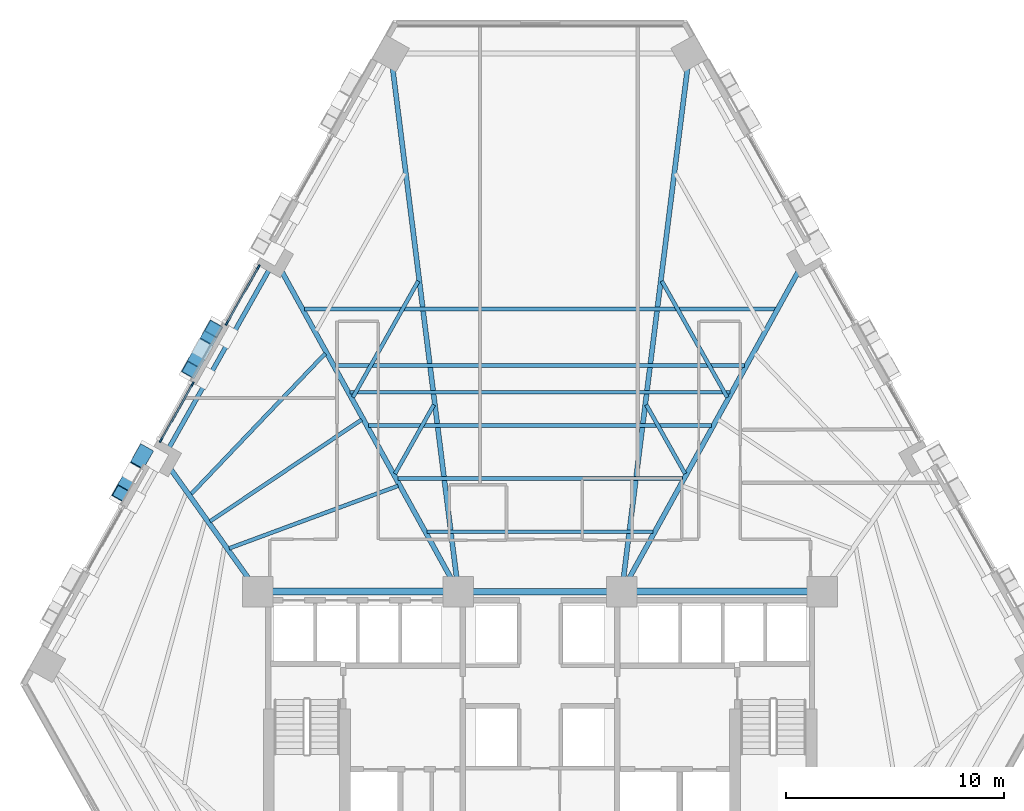
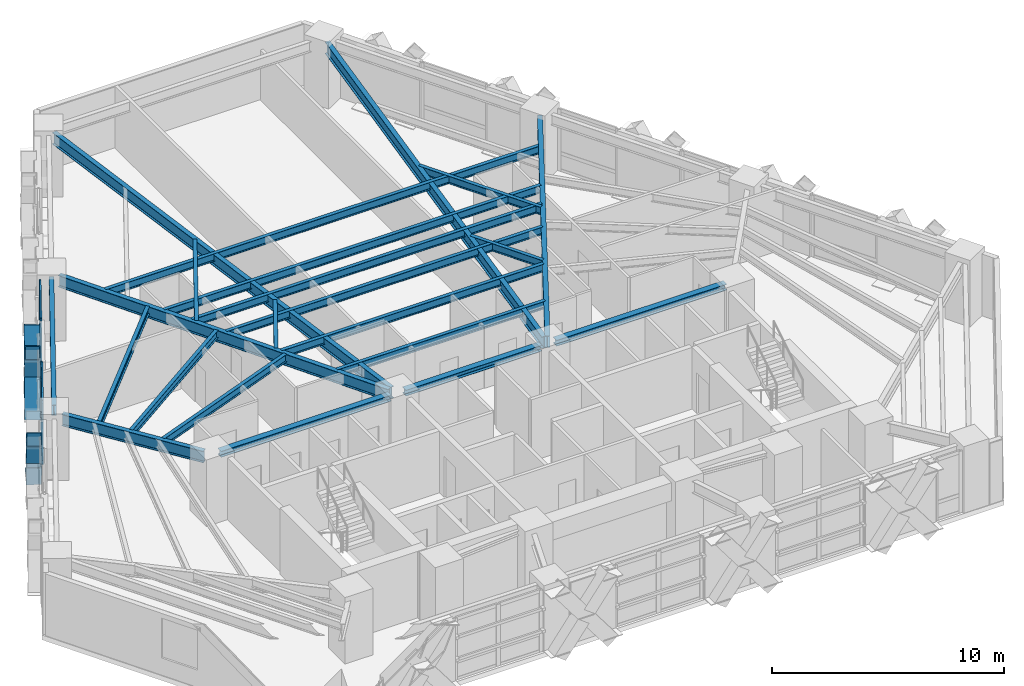
# One storey, part 3 of 13: 22 beams, 15 members, 2 elements without a shape of their own.
"""IFC4 building model written with IfcOpenShell, lengths in metres."""

from ifc_helpers import new_model, si_unit, direction, frame, origin, origin_2d, place, context, subcontext, project, spatial, rectangle, hollow_rectangle, i_section, extrude, material, material_profile, profile_set, type_object, element, aggregate, save


model = new_model("IFC4")

# Units and contexts
model_context = context("Model", 3, precision=1e-05, world=origin(), true_north=direction((0.0, 1.0)))
body_context = subcontext(model_context, "Body", "Model", "MODEL_VIEW")
ifc_project = project(units=[si_unit("LENGTHUNIT", "METRE"), si_unit("AREAUNIT", "SQUARE_METRE"), si_unit("VOLUMEUNIT", "CUBIC_METRE"), si_unit("PLANEANGLEUNIT", "RADIAN"), si_unit("MASSUNIT", "GRAM", prefix="KILO")], contexts=[model_context])

# Site, building, storey
site_placement = place(None, origin())
site = spatial("IfcSite", under=ifc_project, at=site_placement, CompositionType="ELEMENT")
building_placement = place(site_placement, origin())
building = spatial("IfcBuilding", under=site, at=building_placement, Name="Quenlor Broadcast Tower", CompositionType="ELEMENT")
storey_placement = place(building_placement, frame((0.0, 0.0, 62.60009765625)))
storey = spatial("IfcBuildingStorey", under=building, at=storey_placement, Name="L16", CompositionType="ELEMENT", Elevation=62.60009765625)

# Curtain wall, members
ifc_material_1 = material(Name="Architectural Terracotta and Low-E Glazing", Category="masonry")
curtain_wall_type = type_object("IfcCurtainWallType", Name="Unitised Terracotta Curtain Wall System Z1", PredefinedType="NOTDEFINED", material=ifc_material_1)
curtain_wall_1_placement = place(storey_placement, origin())
curtain_wall_1 = element("IfcCurtainWall", 1, at=curtain_wall_1_placement, inside=storey, type_object=curtain_wall_type, Name="L16 Curtain Wall CW1 (L16-NW-G1)", PredefinedType="NOTDEFINED")
ifc_material_2 = material(Name="Aluminium 6063-T6", Category="aluminium")
ifc_material_profile_1 = material_profile(ifc_material_2, rectangle(XDim=0.080078125, YDim=0.219970703125, at=origin_2d()))
ifc_profile_set_1 = profile_set([ifc_material_profile_1], Name="Aluminium 6063-T6 MULL80x220")
member_type_1 = type_object("IfcMemberType", Name="CW1 Aluminium Mullion MULL_CW1", PredefinedType="MULLION", material=ifc_profile_set_1)
member_1_placement = place(storey_placement, frame((-17.39501953125, 2.149169921875, 0.0), z_axis=(0.0, 0.0, 1.0), x_axis=(-0.871568481465, 0.490273782815, 0.0)))
member_1 = element("IfcMember", 2, at=member_1_placement, type_object=member_type_1, Name="CW1 mullion 1", PredefinedType="MULLION", context=body_context, shape_type="SweptSolid", body=[
    extrude(rectangle(XDim=0.080078125, YDim=0.219970703125, at=origin_2d()), origin(), (0.0, 0.0, 1.0), 3.25),
])
member_2_placement = place(storey_placement, frame((-15.94970703125, 4.718505859375, 0.0), z_axis=(0.0, 0.0, 1.0), x_axis=(-0.871568481465, 0.490273782815, 0.0)))
member_2 = element("IfcMember", 3, at=member_2_placement, type_object=member_type_1, Name="CW1 mullion 2", PredefinedType="MULLION", context=body_context, shape_type="SweptSolid", body=[
    extrude(rectangle(XDim=0.080078125, YDim=0.219970703125, at=origin_2d()), origin(), (0.0, 0.0, 1.0), 3.25),
])

curtain_wall_2_placement = place(storey_placement, origin())
curtain_wall_2 = element("IfcCurtainWall", 4, at=curtain_wall_2_placement, inside=storey, type_object=curtain_wall_type, Name="L16 Curtain Wall CW1 (L16-NW-G2)", PredefinedType="NOTDEFINED")
member_3_placement = place(storey_placement, frame((-14.371337890625, 7.524658203125, 0.0), z_axis=(0.0, 0.0, 1.0), x_axis=(-0.871568481465, 0.490273782815, 0.0)))
member_3 = element("IfcMember", 5, at=member_3_placement, type_object=member_type_1, Name="CW1 mullion 1", PredefinedType="MULLION", context=body_context, shape_type="SweptSolid", body=[
    extrude(rectangle(XDim=0.080078125, YDim=0.219970703125, at=origin_2d()), origin(), (0.0, 0.0, 1.0), 3.25),
])
member_4_placement = place(storey_placement, frame((-12.926025390625, 10.09423828125, 0.0), z_axis=(0.0, 0.0, 1.0), x_axis=(-0.871568481465, 0.490273782815, 0.0)))
member_4 = element("IfcMember", 6, at=member_4_placement, type_object=member_type_1, Name="CW1 mullion 2", PredefinedType="MULLION", context=body_context, shape_type="SweptSolid", body=[
    extrude(rectangle(XDim=0.080078125, YDim=0.219970703125, at=origin_2d()), origin(), (0.0, 0.0, 1.0), 3.25),
])

# Member
ifc_material_3 = material(Name="Aluminium 6063-T6", Category="aluminium")
ifc_material_profile_2 = material_profile(ifc_material_3, rectangle(XDim=0.080078125, YDim=0.179931640625, at=origin_2d()))
ifc_profile_set_2 = profile_set([ifc_material_profile_2], Name="Aluminium 6063-T6 TRAN80x180")
member_type_2 = type_object("IfcMemberType", Name="CW1 Aluminium Transom TRAN_CW1", PredefinedType="USERDEFINED", material=ifc_profile_set_2)
member_5_placement = place(storey_placement, frame((-17.37548828125, 2.183837890625, 0.039794921875), z_axis=(0.490297611432, 0.871555076988, 0.0), x_axis=(-0.871555076988, 0.490297611432, 0.0)))
member_5 = element("IfcMember", 7, at=member_5_placement, type_object=member_type_2, Name="CW1 transom 1.1", ObjectType="TRANSOM", PredefinedType="USERDEFINED", context=body_context, shape_type="SweptSolid", body=[
    extrude(rectangle(XDim=0.080078125, YDim=0.179931640625, at=origin_2d()), origin(), (0.0, 0.0, 1.0), 2.8681640625),
])

member_6_placement = place(storey_placement, frame((-17.37548828125, 2.183837890625, 0.949951171875), z_axis=(0.490297611432, 0.871555076988, 0.0), x_axis=(-0.871555076988, 0.490297611432, 0.0)))
member_6 = element("IfcMember", 8, at=member_6_placement, type_object=member_type_2, Name="CW1 transom 1.2", ObjectType="TRANSOM", PredefinedType="USERDEFINED", context=body_context, shape_type="SweptSolid", body=[
    extrude(rectangle(XDim=0.080078125, YDim=0.179931640625, at=origin_2d()), origin(), (0.0, 0.0, 1.0), 2.8681640625),
])

member_7_placement = place(storey_placement, frame((-17.37548828125, 2.183837890625, 3.2099609375), z_axis=(0.490297611432, 0.871555076988, 0.0), x_axis=(-0.871555076988, 0.490297611432, 0.0)))
member_7 = element("IfcMember", 9, at=member_7_placement, type_object=member_type_2, Name="CW1 transom 1.3", ObjectType="TRANSOM", PredefinedType="USERDEFINED", context=body_context, shape_type="SweptSolid", body=[
    extrude(rectangle(XDim=0.080078125, YDim=0.179931640625, at=origin_2d()), origin(), (0.0, 0.0, 1.0), 2.8681640625),
])

aggregate(curtain_wall_1, [member_1, member_2, member_5, member_6, member_7])

member_8_placement = place(storey_placement, frame((-14.3515625, 7.5595703125, 0.039794921875), z_axis=(0.490232948684, 0.871591450179, 0.0), x_axis=(-0.871591450179, 0.490232948684, 0.0)))
member_8 = element("IfcMember", 10, at=member_8_placement, type_object=member_type_2, Name="CW1 transom 1.1", ObjectType="TRANSOM", PredefinedType="USERDEFINED", context=body_context, shape_type="SweptSolid", body=[
    extrude(rectangle(XDim=0.080078125, YDim=0.179931640625, at=origin_2d()), origin(), (0.0, 0.0, 1.0), 2.867919921875),
])

member_9_placement = place(storey_placement, frame((-14.3515625, 7.5595703125, 0.949951171875), z_axis=(0.490232948684, 0.871591450179, 0.0), x_axis=(-0.871591450179, 0.490232948684, 0.0)))
member_9 = element("IfcMember", 11, at=member_9_placement, type_object=member_type_2, Name="CW1 transom 1.2", ObjectType="TRANSOM", PredefinedType="USERDEFINED", context=body_context, shape_type="SweptSolid", body=[
    extrude(rectangle(XDim=0.080078125, YDim=0.179931640625, at=origin_2d()), origin(), (0.0, 0.0, 1.0), 2.867919921875),
])

member_10_placement = place(storey_placement, frame((-14.3515625, 7.5595703125, 3.2099609375), z_axis=(0.490232948684, 0.871591450179, 0.0), x_axis=(-0.871591450179, 0.490232948684, 0.0)))
member_10 = element("IfcMember", 12, at=member_10_placement, type_object=member_type_2, Name="CW1 transom 1.3", ObjectType="TRANSOM", PredefinedType="USERDEFINED", context=body_context, shape_type="SweptSolid", body=[
    extrude(rectangle(XDim=0.080078125, YDim=0.179931640625, at=origin_2d()), origin(), (0.0, 0.0, 1.0), 2.867919921875),
])

aggregate(curtain_wall_2, [member_3, member_4, member_8, member_9, member_10])

# Beams
ifc_material_4 = material(Name="Steel S355", Category="steel")
ifc_material_profile_3 = material_profile(ifc_material_4, i_section(OverallWidth=0.304931640625, OverallDepth=0.30810546875, WebThickness=0.010009765625, FlangeThickness=0.015380859375, FilletRadius=0.0166015625, at=origin_2d()))
ifc_profile_set_3 = profile_set([ifc_material_profile_3], Name="Steel S355 310UC96.8")
beam_type_1 = type_object("IfcBeamType", Name="Core Header Beam Steel S355 310UC96.8", PredefinedType="BEAM", material=ifc_profile_set_3)
beam_1_placement = place(storey_placement, frame((-3.389892578125, -4.800048828125, 3.095947265625), z_axis=(1.0, 0.0, 0.0), x_axis=(0.0, 1.0, 0.0)))
element("IfcBeam", 13, at=beam_1_placement, inside=storey, type_object=beam_type_1, Name="L16 Core Header Beam 2", PredefinedType="BEAM", context=body_context, shape_type="SweptSolid", body=[
    extrude(i_section(OverallWidth=0.304931640625, OverallDepth=0.30810546875, WebThickness=0.010009765625, FlangeThickness=0.015380859375, FilletRadius=0.0166015625, at=origin_2d()), origin(), (0.0, 0.0, 1.0), 6.77978515625),
])
ifc_material_5 = material(Name="Steel S355", Category="steel")
ifc_material_profile_4 = material_profile(ifc_material_5, i_section(OverallWidth=0.306884765625, OverallDepth=0.314697265625, WebThickness=0.011962890625, FlangeThickness=0.018798828125, FilletRadius=0.0166015625, at=origin_2d()))
ifc_profile_set_4 = profile_set([ifc_material_profile_4], Name="Steel S355 310UC118")
beam_type_2 = type_object("IfcBeamType", Name="Core Tie Beam Steel S355 310UC118", PredefinedType="BEAM", material=ifc_profile_set_4)
for number, where, z_axis, x_axis, name in (
    (14, (-12.590087890625, -4.800048828125, 3.092529296875), (1.0, 0.0, 0.0), (0.0, 1.0, 0.0), "L16 Core Tie Beam 1"),
    (15, (4.110107421875, -4.800048828125, 3.092529296875), (1.0, 0.0, 0.0), (0.0, 1.0, 0.0), "L16 Core Tie Beam 3"),
):
    element("IfcBeam", number, at=place(storey_placement, frame(where, z_axis=z_axis, x_axis=x_axis)), inside=storey, type_object=beam_type_2, Name=name, PredefinedType="BEAM", context=body_context, shape_type="SweptSolid", body=[
        extrude(i_section(OverallWidth=0.306884765625, OverallDepth=0.314697265625, WebThickness=0.011962890625, FlangeThickness=0.018798828125, FilletRadius=0.0166015625, at=origin_2d()), origin(), (0.0, 0.0, 1.0), 8.47998046875),
    ])

# Members
ifc_material_6 = material(Name="Steel S355", Category="steel")
ifc_material_profile_5 = material_profile(ifc_material_6, hollow_rectangle(XDim=0.679931640625, YDim=0.679931640625, WallThickness=0.034912109375, at=origin_2d()))
ifc_profile_set_5 = profile_set([ifc_material_profile_5], Name="Steel S355 RHS680x680x35")
member_type_3 = type_object("IfcMemberType", Name="Perimeter Diagonal Lattice Brace Z1 Steel S355 RHS680x35", PredefinedType="BRACE", material=ifc_profile_set_5)
member_11_placement = place(storey_placement, frame((-18.175048828125, 1.56787109375, -0.1201171875), z_axis=(-0.256451721554, -0.455763724789, 0.852356698618), x_axis=(0.871506382136, -0.490384161547, 0.0)))
element("IfcMember", 16, at=member_11_placement, inside=storey, type_object=member_type_3, Name="L16 Perimeter Diamond Lattice NW-C2XB1", PredefinedType="BRACE", context=body_context, shape_type="SweptSolid", body=[
    extrude(hollow_rectangle(XDim=0.679931640625, YDim=0.679931640625, WallThickness=0.034912109375, at=origin_2d()), origin(), (0.0, 0.0, 1.0), 1.802978515625),
])
member_12_placement = place(storey_placement, frame((-18.765625, 0.518310546875, 1.843017578125), z_axis=(-0.256435894674, -0.455870991217, 0.852304095549), x_axis=(0.871568623966, -0.49027352949, 0.0)))
element("IfcMember", 17, at=member_12_placement, inside=storey, type_object=member_type_3, Name="L16 Perimeter Diamond Lattice NW-C2XB2", PredefinedType="BRACE", context=body_context, shape_type="SweptSolid", body=[
    extrude(hollow_rectangle(XDim=0.679931640625, YDim=0.679931640625, WallThickness=0.034912109375, at=origin_2d()), origin(), (0.0, 0.0, 1.0), 1.80322265625),
])
member_13_placement = place(storey_placement, frame((-16.03125, 5.37939453125, -0.1201171875), z_axis=(0.256368393635, 0.455838699906, 0.852341672343), x_axis=(-0.871608931644, 0.490201866865, 0.0)))
element("IfcMember", 18, at=member_13_placement, inside=storey, type_object=member_type_3, Name="L16 Perimeter Diamond Lattice NW-C3XA", PredefinedType="BRACE", context=body_context, shape_type="SweptSolid", body=[
    extrude(hollow_rectangle(XDim=0.679931640625, YDim=0.679931640625, WallThickness=0.034912109375, at=origin_2d()), origin(), (0.0, 0.0, 1.0), 4.1064453125),
])
for number, where, z_axis, x_axis, name in (
    (19, (-14.978515625, 7.251220703125, -0.1201171875), (-0.256309397679, -0.455886815629, 0.852333681135), (0.871679226863, -0.490076856683, 0.0), "L16 Perimeter Diamond Lattice NW-C3XB1"),
    (20, (-15.56884765625, 6.201416015625, 1.843017578125), (-0.256435894674, -0.455870991217, 0.852304095549), (0.871568623966, -0.49027352949, 0.0), "L16 Perimeter Diamond Lattice NW-C3XB2"),
):
    element("IfcMember", number, at=place(storey_placement, frame(where, z_axis=z_axis, x_axis=x_axis)), inside=storey, type_object=member_type_3, Name=name, PredefinedType="BRACE", context=body_context, shape_type="SweptSolid", body=[
        extrude(hollow_rectangle(XDim=0.679931640625, YDim=0.679931640625, WallThickness=0.034912109375, at=origin_2d()), origin(), (0.0, 0.0, 1.0), 1.80322265625),
    ])

# Beams
ifc_material_7 = material(Name="Steel S355", Category="steel")
ifc_material_profile_6 = material_profile(ifc_material_7, i_section(OverallWidth=0.208984375, OverallDepth=0.532958984375, WebThickness=0.01025390625, FlangeThickness=0.015625, FilletRadius=0.013916015625, at=origin_2d()))
ifc_profile_set_6 = profile_set([ifc_material_profile_6], Name="Steel S355 530UB92.4")
beam_type_3 = type_object("IfcBeamType", Name="Perimeter Spandrel Beam Z1 Steel S355 530UB92.4", PredefinedType="SPANDREL", material=ifc_profile_set_6)
beam_2_placement = place(storey_placement, frame((-12.364013671875, 10.093505859375, 2.9833984375), z_axis=(-0.490257642051, -0.871577560755, 0.0), x_axis=(0.871577560755, -0.490257642051, 0.0)))
element("IfcBeam", 21, at=beam_2_placement, inside=storey, type_object=beam_type_3, Name="L16 Spandrel Beam NW2-NW3", PredefinedType="SPANDREL", context=body_context, shape_type="SweptSolid", body=[
    extrude(i_section(OverallWidth=0.208984375, OverallDepth=0.532958984375, WebThickness=0.01025390625, FlangeThickness=0.015625, FilletRadius=0.013916015625, at=origin_2d()), origin(), (0.0, 0.0, 1.0), 9.665771484375),
])
ifc_material_8 = material(Name="Steel S355", Category="steel")
ifc_material_profile_7 = material_profile(ifc_material_8, i_section(OverallWidth=0.177978515625, OverallDepth=0.406494140625, WebThickness=0.0078125, FlangeThickness=0.0126953125, FilletRadius=0.011474609375, at=origin_2d()))
ifc_profile_set_7 = profile_set([ifc_material_profile_7], Name="Steel S355 410UB59.7")
beam_type_4 = type_object("IfcBeamType", Name="Tower Composite Joist Z1 Steel S355 410UB59.7", PredefinedType="JOIST", material=ifc_profile_set_7)
beam_3_placement = place(storey_placement, frame((-5.184326171875, -2.0546875, 3.046630859375), z_axis=(1.0, 0.0, 0.0), x_axis=(0.0, 1.0, 0.0)))
element("IfcBeam", 22, at=beam_3_placement, inside=storey, type_object=beam_type_4, Name="L16 Secondary Composite Joist 1", PredefinedType="JOIST", context=body_context, shape_type="SweptSolid", body=[
    extrude(i_section(OverallWidth=0.177978515625, OverallDepth=0.406494140625, WebThickness=0.0078125, FlangeThickness=0.0126953125, FilletRadius=0.011474609375, at=origin_2d()), origin(), (0.0, 0.0, 1.0), 10.36865234375),
])
beam_4_placement = place(storey_placement, frame((-8.718017578125, 4.3505859375, 3.046630859375), z_axis=(1.0, 0.0, 0.0), x_axis=(0.0, 1.0, 0.0)))
element("IfcBeam", 23, at=beam_4_placement, inside=storey, type_object=beam_type_4, Name="L16 Secondary Composite Joist 2", PredefinedType="JOIST", context=body_context, shape_type="SweptSolid", body=[
    extrude(i_section(OverallWidth=0.177978515625, OverallDepth=0.406494140625, WebThickness=0.0078125, FlangeThickness=0.0126953125, FilletRadius=0.011474609375, at=origin_2d()), origin(), (0.0, 0.0, 1.0), 17.43603515625),
])
beam_5_placement = place(storey_placement, frame((-6.530517578125, 0.38525390625, 3.046630859375), z_axis=(1.0, 0.0, 0.0), x_axis=(0.0, 1.0, 0.0)))
element("IfcBeam", 24, at=beam_5_placement, inside=storey, type_object=beam_type_4, Name="L16 Secondary Composite Joist 3", PredefinedType="JOIST", context=body_context, shape_type="SweptSolid", body=[
    extrude(i_section(OverallWidth=0.177978515625, OverallDepth=0.406494140625, WebThickness=0.0078125, FlangeThickness=0.0126953125, FilletRadius=0.011474609375, at=origin_2d()), origin(), (0.0, 0.0, 1.0), 13.06103515625),
])
beam_6_placement = place(storey_placement, frame((-7.87646484375, 2.825439453125, 3.046630859375), z_axis=(1.0, 0.0, 0.0), x_axis=(0.0, 1.0, 0.0)))
element("IfcBeam", 25, at=beam_6_placement, inside=storey, type_object=beam_type_4, Name="L16 Secondary Composite Joist 4", PredefinedType="JOIST", context=body_context, shape_type="SweptSolid", body=[
    extrude(i_section(OverallWidth=0.177978515625, OverallDepth=0.406494140625, WebThickness=0.0078125, FlangeThickness=0.0126953125, FilletRadius=0.011474609375, at=origin_2d()), origin(), (0.0, 0.0, 1.0), 15.7529296875),
])
beam_7_placement = place(storey_placement, frame((-9.390869140625, 5.570556640625, 3.046630859375), z_axis=(1.0, 0.0, 0.0), x_axis=(0.0, 1.0, 0.0)))
element("IfcBeam", 26, at=beam_7_placement, inside=storey, type_object=beam_type_4, Name="L16 Secondary Composite Joist 5", PredefinedType="JOIST", context=body_context, shape_type="SweptSolid", body=[
    extrude(i_section(OverallWidth=0.177978515625, OverallDepth=0.406494140625, WebThickness=0.0078125, FlangeThickness=0.0126953125, FilletRadius=0.011474609375, at=origin_2d()), origin(), (0.0, 0.0, 1.0), 18.78173828125),
])
beam_8_placement = place(storey_placement, frame((-10.821044921875, 8.163330078125, 3.046630859375), z_axis=(1.0, 0.0, 0.0), x_axis=(0.0, 1.0, 0.0)))
element("IfcBeam", 27, at=beam_8_placement, inside=storey, type_object=beam_type_4, Name="L16 Secondary Composite Joist 6", PredefinedType="JOIST", context=body_context, shape_type="SweptSolid", body=[
    extrude(i_section(OverallWidth=0.177978515625, OverallDepth=0.406494140625, WebThickness=0.0078125, FlangeThickness=0.0126953125, FilletRadius=0.011474609375, at=origin_2d()), origin(), (0.0, 0.0, 1.0), 21.64208984375),
])
beam_9_placement = place(storey_placement, frame((-14.268310546875, -2.81640625, 3.046630859375), z_axis=(0.937824633945, 0.347109429383, 0.0), x_axis=(-0.347109429383, 0.937824633945, 0.0)))
element("IfcBeam", 28, at=beam_9_placement, inside=storey, type_object=beam_type_4, Name="L16 Secondary Composite Joist 7", PredefinedType="JOIST", context=body_context, shape_type="SweptSolid", body=[
    extrude(i_section(OverallWidth=0.177978515625, OverallDepth=0.406494140625, WebThickness=0.0078125, FlangeThickness=0.0126953125, FilletRadius=0.011474609375, at=origin_2d()), origin(), (0.0, 0.0, 1.0), 8.26513671875),
])
beam_10_placement = place(storey_placement, frame((-15.147705078125, -1.577392578125, 3.046630859375), z_axis=(0.830625844363, 0.556830949819, 0.0), x_axis=(-0.556830949819, 0.830625844363, 0.0)))
element("IfcBeam", 29, at=beam_10_placement, inside=storey, type_object=beam_type_4, Name="L16 Secondary Composite Joist 8", PredefinedType="JOIST", context=body_context, shape_type="SweptSolid", body=[
    extrude(i_section(OverallWidth=0.177978515625, OverallDepth=0.406494140625, WebThickness=0.0078125, FlangeThickness=0.0126953125, FilletRadius=0.011474609375, at=origin_2d()), origin(), (0.0, 0.0, 1.0), 8.374755859375),
])
beam_11_placement = place(storey_placement, frame((-16.029541015625, -0.341796875, 3.046630859375), z_axis=(0.690241086162, 0.723579465556, 0.0), x_axis=(-0.723579465556, 0.690241086162, 0.0)))
element("IfcBeam", 30, at=beam_11_placement, inside=storey, type_object=beam_type_4, Name="L16 Secondary Composite Joist 9", PredefinedType="JOIST", context=body_context, shape_type="SweptSolid", body=[
    extrude(i_section(OverallWidth=0.177978515625, OverallDepth=0.406494140625, WebThickness=0.0078125, FlangeThickness=0.0126953125, FilletRadius=0.011474609375, at=origin_2d()), origin(), (0.0, 0.0, 1.0), 8.93408203125),
])
beam_12_placement = place(storey_placement, frame((-4.87451171875, 3.7734375, 3.046630859375), z_axis=(-0.490286766726, -0.871561177642, 0.0), x_axis=(0.871561177642, -0.490286766726, 0.0)))
element("IfcBeam", 31, at=beam_12_placement, inside=storey, type_object=beam_type_4, Name="L16 Secondary Composite Joist 25", PredefinedType="JOIST", context=body_context, shape_type="SweptSolid", body=[
    extrude(i_section(OverallWidth=0.177978515625, OverallDepth=0.406494140625, WebThickness=0.0078125, FlangeThickness=0.0126953125, FilletRadius=0.011474609375, at=origin_2d()), origin(), (0.0, 0.0, 1.0), 3.632568359375),
])
beam_13_placement = place(storey_placement, frame((-5.587646484375, 9.453125, 3.046630859375), z_axis=(-0.490276380443, -0.871567020246, 0.0), x_axis=(0.871567020246, -0.490276380443, 0.0)))
element("IfcBeam", 32, at=beam_13_placement, inside=storey, type_object=beam_type_4, Name="L16 Secondary Composite Joist 26", PredefinedType="JOIST", context=body_context, shape_type="SweptSolid", body=[
    extrude(i_section(OverallWidth=0.177978515625, OverallDepth=0.406494140625, WebThickness=0.0078125, FlangeThickness=0.0126953125, FilletRadius=0.011474609375, at=origin_2d()), origin(), (0.0, 0.0, 1.0), 6.12451171875),
])
beam_14_placement = place(storey_placement, frame((4.87451171875, 3.7734375, 3.046630859375), z_axis=(0.490286766726, -0.871561177642, 0.0), x_axis=(0.871561177642, 0.490286766726, 0.0)))
element("IfcBeam", 33, at=beam_14_placement, inside=storey, type_object=beam_type_4, Name="L16 Secondary Composite Joist 28", PredefinedType="JOIST", context=body_context, shape_type="SweptSolid", body=[
    extrude(i_section(OverallWidth=0.177978515625, OverallDepth=0.406494140625, WebThickness=0.0078125, FlangeThickness=0.0126953125, FilletRadius=0.011474609375, at=origin_2d()), origin(), (0.0, 0.0, 1.0), 3.632568359375),
])
beam_15_placement = place(storey_placement, frame((5.587646484375, 9.453125, 3.046630859375), z_axis=(0.490276380443, -0.871567020246, 0.0), x_axis=(0.871567020246, 0.490276380443, 0.0)))
element("IfcBeam", 34, at=beam_15_placement, inside=storey, type_object=beam_type_4, Name="L16 Secondary Composite Joist 29", PredefinedType="JOIST", context=body_context, shape_type="SweptSolid", body=[
    extrude(i_section(OverallWidth=0.177978515625, OverallDepth=0.406494140625, WebThickness=0.0078125, FlangeThickness=0.0126953125, FilletRadius=0.011474609375, at=origin_2d()), origin(), (0.0, 0.0, 1.0), 6.12451171875),
])
ifc_material_9 = material(Name="Steel S355", Category="steel")
ifc_material_profile_8 = material_profile(ifc_material_9, i_section(OverallWidth=0.22900390625, OverallDepth=0.611572265625, WebThickness=0.011962890625, FlangeThickness=0.01953125, FilletRadius=0.013916015625, at=origin_2d()))
ifc_profile_set_8 = profile_set([ifc_material_profile_8], Name="Steel S355 610UB125")
beam_type_5 = type_object("IfcBeamType", Name="Tower Primary Floor Beam Z1 Steel S355 610UB125", PredefinedType="BEAM", material=ifc_profile_set_8)
beam_16_placement = place(storey_placement, frame((11.965087890625, 10.091796875, 2.944091796875), z_axis=(-0.483026493693, -0.875605736842, 0.0), x_axis=(0.875605736842, -0.483026493693, 0.0)))
element("IfcBeam", 35, at=beam_16_placement, inside=storey, type_object=beam_type_5, Name="L16 Primary Radial Beam NE3", PredefinedType="BEAM", context=body_context, shape_type="SweptSolid", body=[
    extrude(i_section(OverallWidth=0.22900390625, OverallDepth=0.611572265625, WebThickness=0.011962890625, FlangeThickness=0.01953125, FilletRadius=0.013916015625, at=origin_2d()), origin(), (0.0, 0.0, 1.0), 16.62744140625),
])
for number, where, z_axis, x_axis, name in (
    (36, (6.7998046875, 19.48779296875, 2.944091796875), (-0.124589575762, -0.99220836401, 0.0), (0.99220836401, -0.124589575762, 0.0), "L16 Primary Radial Beam NE4"),
    (37, (-6.7998046875, 19.48779296875, 2.944091796875), (0.124589575762, -0.99220836401, 0.0), (0.99220836401, 0.124589575762, 0.0), "L16 Primary Radial Beam NW1"),
):
    element("IfcBeam", number, at=place(storey_placement, frame(where, z_axis=z_axis, x_axis=x_axis)), inside=storey, type_object=beam_type_5, Name=name, PredefinedType="BEAM", context=body_context, shape_type="SweptSolid", body=[
        extrude(i_section(OverallWidth=0.22900390625, OverallDepth=0.611572265625, WebThickness=0.011962890625, FlangeThickness=0.01953125, FilletRadius=0.013916015625, at=origin_2d()), origin(), (0.0, 0.0, 1.0), 24.0986328125),
    ])
beam_17_placement = place(storey_placement, frame((-11.965087890625, 10.091796875, 2.944091796875), z_axis=(0.483026493693, -0.875605736842, 0.0), x_axis=(0.875605736842, 0.483026493693, 0.0)))
element("IfcBeam", 38, at=beam_17_placement, inside=storey, type_object=beam_type_5, Name="L16 Primary Radial Beam NW2", PredefinedType="BEAM", context=body_context, shape_type="SweptSolid", body=[
    extrude(i_section(OverallWidth=0.22900390625, OverallDepth=0.611572265625, WebThickness=0.011962890625, FlangeThickness=0.01953125, FilletRadius=0.013916015625, at=origin_2d()), origin(), (0.0, 0.0, 1.0), 16.62744140625),
])
beam_18_placement = place(storey_placement, frame((-17.06591796875, 0.977783203125, 2.944091796875), z_axis=(0.580212680853, -0.814465005373, 0.0), x_axis=(0.814465005373, 0.580212680853, 0.0)))
element("IfcBeam", 39, at=beam_18_placement, inside=storey, type_object=beam_type_5, Name="L16 Primary Radial Beam NW3", PredefinedType="BEAM", context=body_context, shape_type="SweptSolid", body=[
    extrude(i_section(OverallWidth=0.22900390625, OverallDepth=0.611572265625, WebThickness=0.011962890625, FlangeThickness=0.01953125, FilletRadius=0.013916015625, at=origin_2d()), origin(), (0.0, 0.0, 1.0), 6.7138671875),
])

save(model, "model.ifc")
